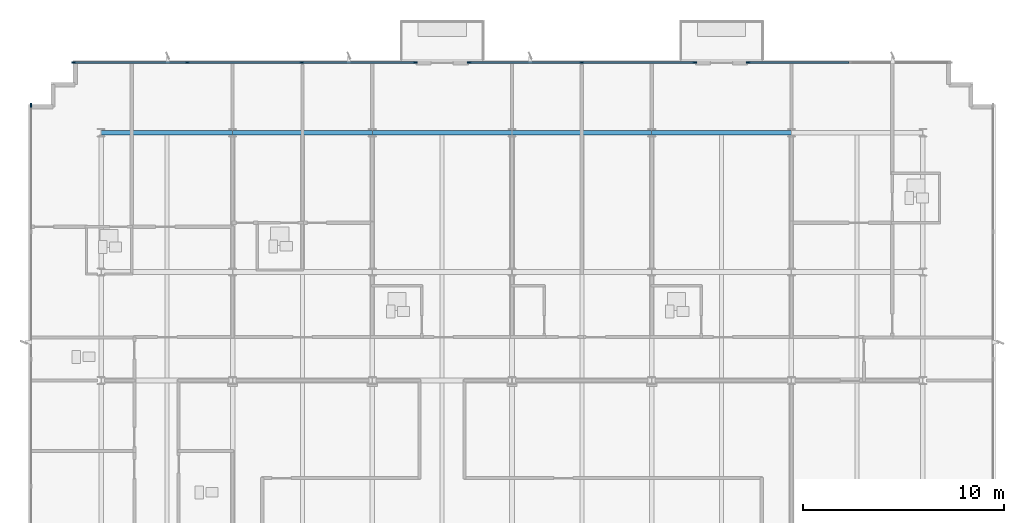
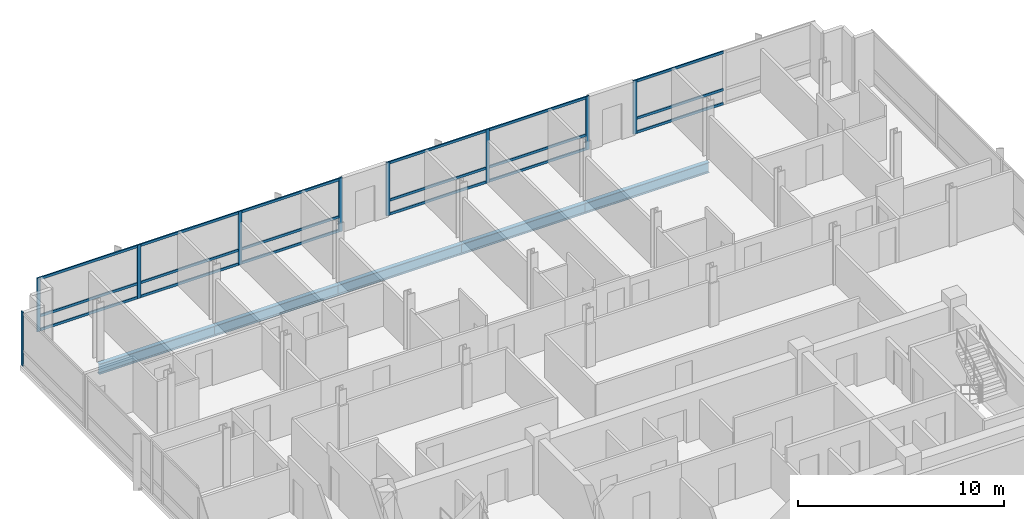
# One storey, part 5 of 14: 27 members, 5 beams, 4 elements without a shape of their own.
"""IFC4 building model written with IfcOpenShell, lengths in metres."""

from ifc_helpers import new_model, si_unit, direction, frame, origin, origin_2d, place, context, subcontext, project, spatial, rectangle, i_section, extrude, material, material_profile, profile_set, type_object, element, aggregate, save


model = new_model("IFC4")

# Units and contexts
model_context = context("Model", 3, precision=1e-05, world=origin(), true_north=direction((0.0, 1.0)))
body_context = subcontext(model_context, "Body", "Model", "MODEL_VIEW")
ifc_project = project(units=[si_unit("LENGTHUNIT", "METRE"), si_unit("AREAUNIT", "SQUARE_METRE"), si_unit("VOLUMEUNIT", "CUBIC_METRE"), si_unit("PLANEANGLEUNIT", "RADIAN"), si_unit("MASSUNIT", "GRAM", prefix="KILO")], contexts=[model_context])

# Site, building, storey
site_placement = place(None, origin())
site = spatial("IfcSite", under=ifc_project, at=site_placement, CompositionType="ELEMENT")
building_placement = place(site_placement, origin())
building = spatial("IfcBuilding", under=site, at=building_placement, Name="Solmavex Isthmus Hotel", CompositionType="ELEMENT")
storey_placement = place(building_placement, frame((0.0, 0.0, 248.85009765625)))
storey = spatial("IfcBuildingStorey", under=building, at=storey_placement, Name="L67", CompositionType="ELEMENT", Elevation=248.85009765625)

# Beams
ifc_material_1 = material(Name="Steel ASTM A992 Grade 50", Category="steel")
ifc_material_profile_1 = material_profile(ifc_material_1, i_section(OverallWidth=0.230224609375, OverallDepth=0.617431640625, WebThickness=0.01318359375, FlangeThickness=0.022216796875, FilletRadius=0.01513671875, at=origin_2d()), Name="W24X94")
ifc_profile_set_1 = profile_set([ifc_material_profile_1], Name="Steel ASTM A992 Grade 50")
beam_type = type_object("IfcBeamType", Name="BM-SP-W24X94", PredefinedType="SPANDREL", material=ifc_profile_set_1)
beam_placement = place(storey_placement, frame((-20.39990234375, 17.699951171875, -0.56884765625), z_axis=(1.0, 0.0, 0.0), x_axis=(0.0, 1.0, 0.0)))
element("IfcBeam", 1, at=beam_placement, inside=storey, type_object=beam_type, Name="Floor Girder L67-UG15", PredefinedType="SPANDREL", context=body_context, shape_type="SweptSolid", body=[
    extrude(i_section(OverallWidth=0.230224609375, OverallDepth=0.617431640625, WebThickness=0.01318359375, FlangeThickness=0.022216796875, FilletRadius=0.01513671875, at=origin_2d()), origin(), (0.0, 0.0, 1.0), 6.52783203125),
])
for number, where, z_axis, x_axis, name in (
    (2, (-13.8720703125, 17.699951171875, -0.56884765625), (1.0, 0.0, 0.0), (0.0, 1.0, 0.0), "Floor Girder L67-UG16"),
    (3, (-6.93603515625, 17.699951171875, -0.56884765625), (1.0, 0.0, 0.0), (0.0, 1.0, 0.0), "Floor Girder L67-UG17"),
    (4, (0.0, 17.699951171875, -0.56884765625), (1.0, 0.0, 0.0), (0.0, 1.0, 0.0), "Floor Girder L67-UG18"),
    (5, (6.93603515625, 17.699951171875, -0.56884765625), (1.0, 0.0, 0.0), (0.0, 1.0, 0.0), "Floor Girder L67-UG19"),
):
    element("IfcBeam", number, at=place(storey_placement, frame(where, z_axis=z_axis, x_axis=x_axis)), inside=storey, type_object=beam_type, Name=name, PredefinedType="SPANDREL", context=body_context, shape_type="SweptSolid", body=[
        extrude(i_section(OverallWidth=0.230224609375, OverallDepth=0.617431640625, WebThickness=0.01318359375, FlangeThickness=0.022216796875, FilletRadius=0.01513671875, at=origin_2d()), origin(), (0.0, 0.0, 1.0), 6.93603515625),
    ])

# Curtain wall, members
ifc_material_2 = material(Name="Aluminium alloy 6063-T6", Category="aluminium")
curtain_wall_type = type_object("IfcCurtainWallType", Name="CW-SYS-04", PredefinedType="NOTDEFINED", material=ifc_material_2)
curtain_wall_1_placement = place(storey_placement, origin())
curtain_wall_1 = element("IfcCurtainWall", 6, at=curtain_wall_1_placement, inside=storey, type_object=curtain_wall_type, Name="Stick Curtain Wall CWL-L67-N1", PredefinedType="NOTDEFINED")
ifc_material_profile_2 = material_profile(ifc_material_2, rectangle(XDim=0.074951171875, YDim=0.199951171875, at=origin_2d()), Name="CWM-75X200")
ifc_profile_set_2 = profile_set([ifc_material_profile_2], Name="Aluminium alloy 6063-T6")
member_type_1 = type_object("IfcMemberType", Name="CW-SYS-04-MUL", PredefinedType="MULLION", material=ifc_profile_set_2)
member_1_placement = place(storey_placement, frame((-21.762451171875, 21.179931640625, 0.0), z_axis=(0.0, 0.0, 1.0), x_axis=(0.0, 1.0, 0.0)))
member_1 = element("IfcMember", 7, at=member_1_placement, type_object=member_type_1, Name="CW-04 mullion 1", PredefinedType="MULLION", context=body_context, shape_type="SweptSolid", body=[
    extrude(rectangle(XDim=0.074951171875, YDim=0.199951171875, at=origin_2d()), origin(), (0.0, 0.0, 1.0), 3.18994140625),
])
member_2_placement = place(storey_placement, frame((-16.12255859375, 21.179931640625, 0.0), z_axis=(0.0, 0.0, 1.0), x_axis=(0.0, 1.0, 0.0)))
member_2 = element("IfcMember", 8, at=member_2_placement, type_object=member_type_1, Name="CW-04 mullion 2", PredefinedType="MULLION", context=body_context, shape_type="SweptSolid", body=[
    extrude(rectangle(XDim=0.074951171875, YDim=0.199951171875, at=origin_2d()), origin(), (0.0, 0.0, 1.0), 3.18994140625),
])
member_3_placement = place(storey_placement, frame((-10.4453125, 21.179931640625, 0.0), z_axis=(0.0, 0.0, 1.0), x_axis=(0.0, 1.0, 0.0)))
member_3 = element("IfcMember", 9, at=member_3_placement, type_object=member_type_1, Name="CW-04 mullion 3", PredefinedType="MULLION", context=body_context, shape_type="SweptSolid", body=[
    extrude(rectangle(XDim=0.074951171875, YDim=0.199951171875, at=origin_2d()), origin(), (0.0, 0.0, 1.0), 3.18994140625),
])
member_4_placement = place(storey_placement, frame((-4.805419921875, 21.179931640625, 0.0), z_axis=(0.0, 0.0, 1.0), x_axis=(0.0, 1.0, 0.0)))
member_4 = element("IfcMember", 10, at=member_4_placement, type_object=member_type_1, Name="CW-04 mullion 4", PredefinedType="MULLION", context=body_context, shape_type="SweptSolid", body=[
    extrude(rectangle(XDim=0.074951171875, YDim=0.199951171875, at=origin_2d()), origin(), (0.0, 0.0, 1.0), 3.18994140625),
])

curtain_wall_2_placement = place(storey_placement, origin())
curtain_wall_2 = element("IfcCurtainWall", 11, at=curtain_wall_2_placement, inside=storey, type_object=curtain_wall_type, Name="Stick Curtain Wall CWL-L67-N2", PredefinedType="NOTDEFINED")
member_5_placement = place(storey_placement, frame((-2.130615234375, 21.179931640625, 0.0), z_axis=(0.0, 0.0, 1.0), x_axis=(0.0, 1.0, 0.0)))
member_5 = element("IfcMember", 12, at=member_5_placement, type_object=member_type_1, Name="CW-04 mullion 1", PredefinedType="MULLION", context=body_context, shape_type="SweptSolid", body=[
    extrude(rectangle(XDim=0.074951171875, YDim=0.199951171875, at=origin_2d()), origin(), (0.0, 0.0, 1.0), 3.18994140625),
])
member_6_placement = place(storey_placement, frame((3.468017578125, 21.179931640625, 0.0), z_axis=(0.0, 0.0, 1.0), x_axis=(0.0, 1.0, 0.0)))
member_6 = element("IfcMember", 13, at=member_6_placement, type_object=member_type_1, Name="CW-04 mullion 2", PredefinedType="MULLION", context=body_context, shape_type="SweptSolid", body=[
    extrude(rectangle(XDim=0.074951171875, YDim=0.199951171875, at=origin_2d()), origin(), (0.0, 0.0, 1.0), 3.18994140625),
])
member_7_placement = place(storey_placement, frame((9.06640625, 21.179931640625, 0.0), z_axis=(0.0, 0.0, 1.0), x_axis=(0.0, 1.0, 0.0)))
member_7 = element("IfcMember", 14, at=member_7_placement, type_object=member_type_1, Name="CW-04 mullion 3", PredefinedType="MULLION", context=body_context, shape_type="SweptSolid", body=[
    extrude(rectangle(XDim=0.074951171875, YDim=0.199951171875, at=origin_2d()), origin(), (0.0, 0.0, 1.0), 3.18994140625),
])

# Curtain wall, member
curtain_wall_3_placement = place(storey_placement, origin())
curtain_wall_3 = element("IfcCurtainWall", 15, at=curtain_wall_3_placement, inside=storey, type_object=curtain_wall_type, Name="Stick Curtain Wall CWL-L67-N3", PredefinedType="NOTDEFINED")
member_8_placement = place(storey_placement, frame((11.741455078125, 21.179931640625, 0.0), z_axis=(0.0, 0.0, 1.0), x_axis=(0.0, 1.0, 0.0)))
member_8 = element("IfcMember", 16, at=member_8_placement, type_object=member_type_1, Name="CW-04 mullion 1", PredefinedType="MULLION", context=body_context, shape_type="SweptSolid", body=[
    extrude(rectangle(XDim=0.074951171875, YDim=0.199951171875, at=origin_2d()), origin(), (0.0, 0.0, 1.0), 3.18994140625),
])

curtain_wall_4_placement = place(storey_placement, origin())
curtain_wall_4 = element("IfcCurtainWall", 17, at=curtain_wall_4_placement, inside=storey, type_object=curtain_wall_type, Name="Stick Curtain Wall CWL-L67-W1", PredefinedType="NOTDEFINED")
member_9_placement = place(storey_placement, frame((-23.8798828125, 19.0625, 0.0), z_axis=(0.0, 0.0, 1.0), x_axis=(-1.0, 0.0, 0.0)))
member_9 = element("IfcMember", 18, at=member_9_placement, type_object=member_type_1, Name="CW-04 mullion 6", PredefinedType="MULLION", context=body_context, shape_type="SweptSolid", body=[
    extrude(rectangle(XDim=0.074951171875, YDim=0.199951171875, at=origin_2d()), origin(), (0.0, 0.0, 1.0), 3.18994140625),
])
aggregate(curtain_wall_4, [member_9])

# Member
ifc_material_profile_3 = material_profile(ifc_material_2, rectangle(XDim=0.074951171875, YDim=0.14990234375, at=origin_2d()), Name="CWT-75X150")
ifc_profile_set_3 = profile_set([ifc_material_profile_3], Name="Aluminium alloy 6063-T6")
member_type_2 = type_object("IfcMemberType", Name="CW-SYS-04-TRN", PredefinedType="USERDEFINED", material=ifc_profile_set_3)
member_10_placement = place(storey_placement, frame((-21.72509765625, 21.179931640625, 0.074951171875), z_axis=(1.0, 0.0, 0.0), x_axis=(0.0, 1.0, 0.0)))
member_10 = element("IfcMember", 19, at=member_10_placement, type_object=member_type_2, Name="CW-04 transom 1.1", ObjectType="TRANSOM", PredefinedType="USERDEFINED", context=body_context, shape_type="SweptSolid", body=[
    extrude(rectangle(XDim=0.074951171875, YDim=0.14990234375, at=origin_2d()), origin(), (0.0, 0.0, 1.0), 5.56494140625),
])

member_11_placement = place(storey_placement, frame((-21.72509765625, 21.179931640625, 0.89990234375), z_axis=(1.0, 0.0, 0.0), x_axis=(0.0, 1.0, 0.0)))
member_11 = element("IfcMember", 20, at=member_11_placement, type_object=member_type_2, Name="CW-04 transom 1.2", ObjectType="TRANSOM", PredefinedType="USERDEFINED", context=body_context, shape_type="SweptSolid", body=[
    extrude(rectangle(XDim=0.074951171875, YDim=0.14990234375, at=origin_2d()), origin(), (0.0, 0.0, 1.0), 5.56494140625),
])

member_12_placement = place(storey_placement, frame((-21.72509765625, 21.179931640625, 3.114990234375), z_axis=(1.0, 0.0, 0.0), x_axis=(0.0, 1.0, 0.0)))
member_12 = element("IfcMember", 21, at=member_12_placement, type_object=member_type_2, Name="CW-04 transom 1.3", ObjectType="TRANSOM", PredefinedType="USERDEFINED", context=body_context, shape_type="SweptSolid", body=[
    extrude(rectangle(XDim=0.074951171875, YDim=0.14990234375, at=origin_2d()), origin(), (0.0, 0.0, 1.0), 5.56494140625),
])

member_13_placement = place(storey_placement, frame((-16.085205078125, 21.179931640625, 0.074951171875), z_axis=(1.0, 0.0, 0.0), x_axis=(0.0, 1.0, 0.0)))
member_13 = element("IfcMember", 22, at=member_13_placement, type_object=member_type_2, Name="CW-04 transom 2.1", ObjectType="TRANSOM", PredefinedType="USERDEFINED", context=body_context, shape_type="SweptSolid", body=[
    extrude(rectangle(XDim=0.074951171875, YDim=0.14990234375, at=origin_2d()), origin(), (0.0, 0.0, 1.0), 5.602294921875),
])

member_14_placement = place(storey_placement, frame((-16.085205078125, 21.179931640625, 0.89990234375), z_axis=(1.0, 0.0, 0.0), x_axis=(0.0, 1.0, 0.0)))
member_14 = element("IfcMember", 23, at=member_14_placement, type_object=member_type_2, Name="CW-04 transom 2.2", ObjectType="TRANSOM", PredefinedType="USERDEFINED", context=body_context, shape_type="SweptSolid", body=[
    extrude(rectangle(XDim=0.074951171875, YDim=0.14990234375, at=origin_2d()), origin(), (0.0, 0.0, 1.0), 5.602294921875),
])

member_15_placement = place(storey_placement, frame((-16.085205078125, 21.179931640625, 3.114990234375), z_axis=(1.0, 0.0, 0.0), x_axis=(0.0, 1.0, 0.0)))
member_15 = element("IfcMember", 24, at=member_15_placement, type_object=member_type_2, Name="CW-04 transom 2.3", ObjectType="TRANSOM", PredefinedType="USERDEFINED", context=body_context, shape_type="SweptSolid", body=[
    extrude(rectangle(XDim=0.074951171875, YDim=0.14990234375, at=origin_2d()), origin(), (0.0, 0.0, 1.0), 5.602294921875),
])

member_16_placement = place(storey_placement, frame((-10.40771484375, 21.179931640625, 0.074951171875), z_axis=(1.0, 0.0, 0.0), x_axis=(0.0, 1.0, 0.0)))
member_16 = element("IfcMember", 25, at=member_16_placement, type_object=member_type_2, Name="CW-04 transom 3.1", ObjectType="TRANSOM", PredefinedType="USERDEFINED", context=body_context, shape_type="SweptSolid", body=[
    extrude(rectangle(XDim=0.074951171875, YDim=0.14990234375, at=origin_2d()), origin(), (0.0, 0.0, 1.0), 5.564697265625),
])

member_17_placement = place(storey_placement, frame((-10.40771484375, 21.179931640625, 0.89990234375), z_axis=(1.0, 0.0, 0.0), x_axis=(0.0, 1.0, 0.0)))
member_17 = element("IfcMember", 26, at=member_17_placement, type_object=member_type_2, Name="CW-04 transom 3.2", ObjectType="TRANSOM", PredefinedType="USERDEFINED", context=body_context, shape_type="SweptSolid", body=[
    extrude(rectangle(XDim=0.074951171875, YDim=0.14990234375, at=origin_2d()), origin(), (0.0, 0.0, 1.0), 5.564697265625),
])

member_18_placement = place(storey_placement, frame((-10.40771484375, 21.179931640625, 3.114990234375), z_axis=(1.0, 0.0, 0.0), x_axis=(0.0, 1.0, 0.0)))
member_18 = element("IfcMember", 27, at=member_18_placement, type_object=member_type_2, Name="CW-04 transom 3.3", ObjectType="TRANSOM", PredefinedType="USERDEFINED", context=body_context, shape_type="SweptSolid", body=[
    extrude(rectangle(XDim=0.074951171875, YDim=0.14990234375, at=origin_2d()), origin(), (0.0, 0.0, 1.0), 5.564697265625),
])

aggregate(curtain_wall_1, [member_1, member_2, member_3, member_4, member_10, member_11, member_12, member_13, member_14, member_15, member_16, member_17, member_18])

member_19_placement = place(storey_placement, frame((-2.093017578125, 21.179931640625, 0.074951171875), z_axis=(1.0, 0.0, 0.0), x_axis=(0.0, 1.0, 0.0)))
member_19 = element("IfcMember", 28, at=member_19_placement, type_object=member_type_2, Name="CW-04 transom 1.1", ObjectType="TRANSOM", PredefinedType="USERDEFINED", context=body_context, shape_type="SweptSolid", body=[
    extrude(rectangle(XDim=0.074951171875, YDim=0.14990234375, at=origin_2d()), origin(), (0.0, 0.0, 1.0), 5.5234375),
])

member_20_placement = place(storey_placement, frame((-2.093017578125, 21.179931640625, 0.89990234375), z_axis=(1.0, 0.0, 0.0), x_axis=(0.0, 1.0, 0.0)))
member_20 = element("IfcMember", 29, at=member_20_placement, type_object=member_type_2, Name="CW-04 transom 1.2", ObjectType="TRANSOM", PredefinedType="USERDEFINED", context=body_context, shape_type="SweptSolid", body=[
    extrude(rectangle(XDim=0.074951171875, YDim=0.14990234375, at=origin_2d()), origin(), (0.0, 0.0, 1.0), 5.5234375),
])

member_21_placement = place(storey_placement, frame((-2.093017578125, 21.179931640625, 3.114990234375), z_axis=(1.0, 0.0, 0.0), x_axis=(0.0, 1.0, 0.0)))
member_21 = element("IfcMember", 30, at=member_21_placement, type_object=member_type_2, Name="CW-04 transom 1.3", ObjectType="TRANSOM", PredefinedType="USERDEFINED", context=body_context, shape_type="SweptSolid", body=[
    extrude(rectangle(XDim=0.074951171875, YDim=0.14990234375, at=origin_2d()), origin(), (0.0, 0.0, 1.0), 5.5234375),
])

member_22_placement = place(storey_placement, frame((3.505615234375, 21.179931640625, 0.074951171875), z_axis=(1.0, 0.0, 0.0), x_axis=(0.0, 1.0, 0.0)))
member_22 = element("IfcMember", 31, at=member_22_placement, type_object=member_type_2, Name="CW-04 transom 2.1", ObjectType="TRANSOM", PredefinedType="USERDEFINED", context=body_context, shape_type="SweptSolid", body=[
    extrude(rectangle(XDim=0.074951171875, YDim=0.14990234375, at=origin_2d()), origin(), (0.0, 0.0, 1.0), 5.5234375),
])

member_23_placement = place(storey_placement, frame((3.505615234375, 21.179931640625, 0.89990234375), z_axis=(1.0, 0.0, 0.0), x_axis=(0.0, 1.0, 0.0)))
member_23 = element("IfcMember", 32, at=member_23_placement, type_object=member_type_2, Name="CW-04 transom 2.2", ObjectType="TRANSOM", PredefinedType="USERDEFINED", context=body_context, shape_type="SweptSolid", body=[
    extrude(rectangle(XDim=0.074951171875, YDim=0.14990234375, at=origin_2d()), origin(), (0.0, 0.0, 1.0), 5.5234375),
])

member_24_placement = place(storey_placement, frame((3.505615234375, 21.179931640625, 3.114990234375), z_axis=(1.0, 0.0, 0.0), x_axis=(0.0, 1.0, 0.0)))
member_24 = element("IfcMember", 33, at=member_24_placement, type_object=member_type_2, Name="CW-04 transom 2.3", ObjectType="TRANSOM", PredefinedType="USERDEFINED", context=body_context, shape_type="SweptSolid", body=[
    extrude(rectangle(XDim=0.074951171875, YDim=0.14990234375, at=origin_2d()), origin(), (0.0, 0.0, 1.0), 5.5234375),
])

aggregate(curtain_wall_2, [member_5, member_6, member_7, member_19, member_20, member_21, member_22, member_23, member_24])

member_25_placement = place(storey_placement, frame((11.779052734375, 21.179931640625, 0.074951171875), z_axis=(1.0, 0.0, 0.0), x_axis=(0.0, 1.0, 0.0)))
member_25 = element("IfcMember", 34, at=member_25_placement, type_object=member_type_2, Name="CW-04 transom 1.1", ObjectType="TRANSOM", PredefinedType="USERDEFINED", context=body_context, shape_type="SweptSolid", body=[
    extrude(rectangle(XDim=0.074951171875, YDim=0.14990234375, at=origin_2d()), origin(), (0.0, 0.0, 1.0), 4.935546875),
])

member_26_placement = place(storey_placement, frame((11.779052734375, 21.179931640625, 0.89990234375), z_axis=(1.0, 0.0, 0.0), x_axis=(0.0, 1.0, 0.0)))
member_26 = element("IfcMember", 35, at=member_26_placement, type_object=member_type_2, Name="CW-04 transom 1.2", ObjectType="TRANSOM", PredefinedType="USERDEFINED", context=body_context, shape_type="SweptSolid", body=[
    extrude(rectangle(XDim=0.074951171875, YDim=0.14990234375, at=origin_2d()), origin(), (0.0, 0.0, 1.0), 4.935546875),
])

member_27_placement = place(storey_placement, frame((11.779052734375, 21.179931640625, 3.114990234375), z_axis=(1.0, 0.0, 0.0), x_axis=(0.0, 1.0, 0.0)))
member_27 = element("IfcMember", 36, at=member_27_placement, type_object=member_type_2, Name="CW-04 transom 1.3", ObjectType="TRANSOM", PredefinedType="USERDEFINED", context=body_context, shape_type="SweptSolid", body=[
    extrude(rectangle(XDim=0.074951171875, YDim=0.14990234375, at=origin_2d()), origin(), (0.0, 0.0, 1.0), 4.935546875),
])

aggregate(curtain_wall_3, [member_8, member_25, member_26, member_27])

save(model, "model.ifc")
